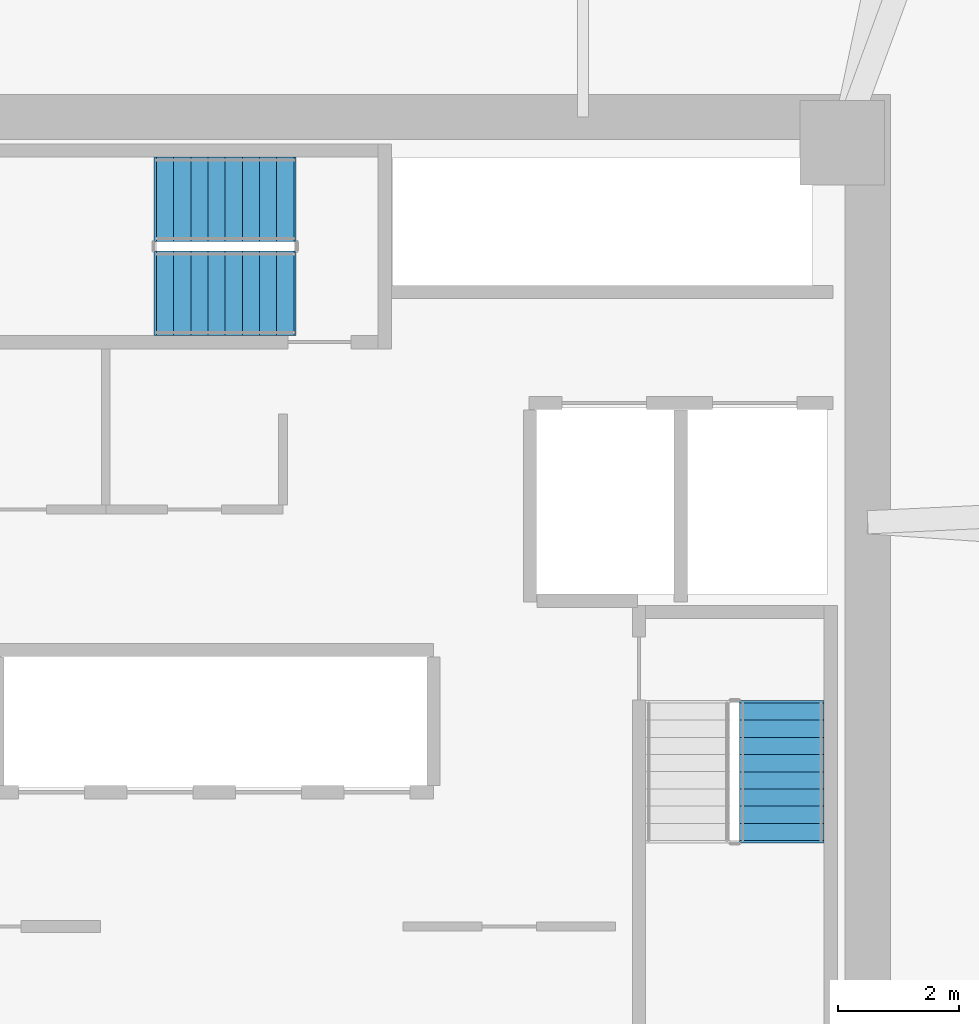
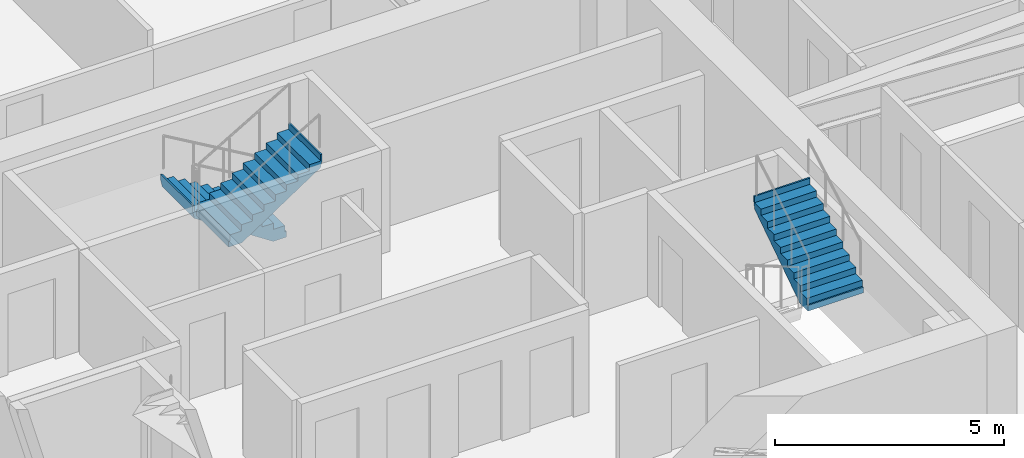
# One storey, part 16 of 17: 3 stair flights, 2 elements without a shape of their own.
"""IFC4 building model written with IfcOpenShell, lengths in metres."""

import ifcopenshell
import ifcopenshell.guid

model = None  # the IFC model being written
_history = None  # IfcOwnerHistory: only IFC2X3 demands one
_inside = {}  # id of a spatial element -> (the spatial element, [elements in it])
_under = {}  # id of a project, library or spatial element -> (it, [spatial elements below it])
_declared = {}  # id of a project -> (the project, [libraries it declares])
_typed = {}  # id of a type object -> (the type object, [elements of that type])
_made_of = {}  # id of a material, layer set ... -> (it, [elements and type objects made of it])


def new_model(schema):
    """Start an empty IFC model of exactly this schema.

    Asked for "IFC4X3", IfcOpenShell would pick the latest addendum, in which some entities
    have other attributes; the version numbers below select the first issue.
    IFC2X3 requires an IfcOwnerHistory on every rooted entity: one is made here for all.
    """
    global model, _history
    if schema == "IFC4X3":
        model = ifcopenshell.file(schema_version=(4, 3, 0, 0))
    else:
        model = ifcopenshell.file(schema=schema)
    _inside.clear()
    _under.clear()
    _declared.clear()
    _typed.clear()
    _made_of.clear()
    _history = None
    if model.schema == "IFC2X3":
        org = make("IfcOrganization", Name="unknown")
        user = make(
            "IfcPersonAndOrganization",
            ThePerson=make("IfcPerson", FamilyName="unknown"),
            TheOrganization=org,
        )
        app = make(
            "IfcApplication",
            ApplicationDeveloper=org,
            Version="unknown",
            ApplicationFullName="unknown",
            ApplicationIdentifier="unknown",
        )
        _history = make(
            "IfcOwnerHistory",
            OwningUser=user,
            OwningApplication=app,
            ChangeAction="ADDED",
            CreationDate=0,
        )
    return model


def make(cls, **values):
    """One entity of the class cls with the attributes given. An attribute that is None is left unset."""
    return model.create_entity(
        cls, **{name: value for name, value in values.items() if value is not None}
    )


def rooted(cls, **values):
    """An entity with a GlobalId (a new one), such as an element, a storey or a relation."""
    return make(cls, GlobalId=ifcopenshell.guid.new(), OwnerHistory=_history, **values)


def si_unit(unit_type, name, prefix=None):
    """IfcSIUnit, for example si_unit("LENGTHUNIT", "METRE", prefix="MILLI")."""
    return make("IfcSIUnit", UnitType=unit_type, Prefix=prefix, Name=name)


def assignment(units):
    """IfcUnitAssignment: the units of a project."""
    return None if units is None else make("IfcUnitAssignment", Units=units)


def point(xyz):
    """IfcCartesianPoint."""
    return None if xyz is None else make("IfcCartesianPoint", Coordinates=xyz)


def direction(xyz):
    """IfcDirection."""
    return None if xyz is None else make("IfcDirection", DirectionRatios=xyz)


def frame(location, z_axis=None, x_axis=None):
    """IfcAxis2Placement3D, a coordinate frame: its origin and axes. An axis left out is left unset."""
    return make(
        "IfcAxis2Placement3D",
        Location=point(location),
        Axis=direction(z_axis),
        RefDirection=direction(x_axis),
    )


def origin():
    """The frame at (0, 0, 0) with its axes left unset."""
    return frame((0.0, 0.0, 0.0))


def place(relative_to, where):
    """IfcLocalPlacement: puts the frame where relative to a parent placement (None: the world)."""
    return make(
        "IfcLocalPlacement", PlacementRelTo=relative_to, RelativePlacement=where
    )


def context(
    kind, dimensions, precision=None, world=None, true_north=None, identifier=None
):
    """IfcGeometricRepresentationContext, for example the 3D "Model" context."""
    return make(
        "IfcGeometricRepresentationContext",
        ContextIdentifier=identifier,
        ContextType=kind,
        CoordinateSpaceDimension=dimensions,
        Precision=precision,
        WorldCoordinateSystem=world,
        TrueNorth=true_north,
    )


def subcontext(parent, identifier, kind, view, scale=None):
    """IfcGeometricRepresentationSubContext, for example "Body" below "Model"."""
    return make(
        "IfcGeometricRepresentationSubContext",
        ContextIdentifier=identifier,
        ContextType=kind,
        ParentContext=parent,
        TargetScale=scale,
        TargetView=view,
    )


def project(units=None, contexts=None):
    """IfcProject with its units and contexts."""
    return rooted(
        "IfcProject",
        Name="project",
        RepresentationContexts=contexts,
        UnitsInContext=assignment(units),
    )


def spatial(cls, under=None, at=None, **own):
    """A site, building, storey or space (cls), placed at a placement, below another one or the project."""
    s = rooted(cls, ObjectPlacement=at, **own)
    if under is not None:
        _under.setdefault(under.id(), (under, []))[1].append(s)
    return s


def polyline(points):
    """IfcPolyline through the points."""
    return make("IfcPolyline", Points=[point(p) for p in points])


def outline(outer, holes=None, kind="AREA"):
    """IfcArbitraryClosedProfileDef: a profile drawn as a closed curve; with holes, ...WithVoids."""
    if holes is None:
        return make("IfcArbitraryClosedProfileDef", ProfileType=kind, OuterCurve=outer)
    return make(
        "IfcArbitraryProfileDefWithVoids",
        ProfileType=kind,
        OuterCurve=outer,
        InnerCurves=holes,
    )


def extrude(swept, where, along, depth):
    """IfcExtrudedAreaSolid: the profile swept, set in the frame where, extruded along a direction by depth."""
    return make(
        "IfcExtrudedAreaSolid",
        SweptArea=swept,
        Position=where,
        ExtrudedDirection=direction(along),
        Depth=depth,
    )


def shape(context_of_items, identifier, shape_type, items):
    """IfcShapeRepresentation: the items that make up one representation, for example the "Body"."""
    return make(
        "IfcShapeRepresentation",
        ContextOfItems=context_of_items,
        RepresentationIdentifier=identifier,
        RepresentationType=shape_type,
        Items=items,
    )


def material(Name=None, Category=None):
    """IfcMaterial."""
    return make("IfcMaterial", Name=Name, Category=Category)


def made_of(thing, what):
    """Note that an element or type object is made of a material, layer set ...; save() writes the relation."""
    if what is not None:
        _made_of.setdefault(what.id(), (what, []))[1].append(thing)
    return thing


def type_object(cls, material=None, **own):
    """A type object (cls), such as IfcWallType, which elements share."""
    return made_of(rooted(cls, **own), material)


def element(
    cls,
    number,
    at=None,
    inside=None,
    cuts=None,
    type_object=None,
    material=None,
    context=None,
    identifier="Body",
    shape_type=None,
    held_by="IfcProductDefinitionShape",
    body=None,
    shapes=None,
    **own,
):
    """One element of the class cls, such as IfcWall. Its Tag is "e" and its number.

    at: its placement. inside: the storey or other place that contains it. cuts: it is an
    opening in that element (IfcRelVoidsElement). A single representation is given by context,
    identifier, shape_type and body (its items); several are given by shapes. held_by: the class
    of the entity that holds the representations. save() writes the other relations.
    """
    e = rooted(cls, Tag="e%d" % number, ObjectPlacement=at, **own)
    if body is not None:
        shapes = [shape(context, identifier, shape_type, body)]
    if shapes is not None:
        e.Representation = make(held_by, Representations=shapes)
    if inside is not None:
        _inside.setdefault(inside.id(), (inside, []))[1].append(e)
    if cuts is not None:
        rooted(
            "IfcRelVoidsElement", RelatingBuildingElement=cuts, RelatedOpeningElement=e
        )
    if type_object is not None:
        _typed.setdefault(type_object.id(), (type_object, []))[1].append(e)
    return made_of(e, material)


def aggregate(whole, parts):
    """IfcRelAggregates: a whole, such as a stair, and the parts it consists of."""
    return rooted("IfcRelAggregates", RelatingObject=whole, RelatedObjects=parts)


def save(model, path):
    """Write the relations noted so far, then the file.

    IfcRelAggregates (storeys below a building ...), IfcRelContainedInSpatialStructure (elements
    in a storey), IfcRelDefinesByType, IfcRelAssociatesMaterial and IfcRelDeclares: one each for
    every whole, place, type object, material and project.
    """
    for whole, parts in _under.values():
        aggregate(whole, parts)
    for where, things in _inside.values():
        rooted(
            "IfcRelContainedInSpatialStructure",
            RelatedElements=things,
            RelatingStructure=where,
        )
    for kind, things in _typed.values():
        rooted("IfcRelDefinesByType", RelatedObjects=things, RelatingType=kind)
    for what, things in _made_of.values():
        rooted("IfcRelAssociatesMaterial", RelatedObjects=things, RelatingMaterial=what)
    for by, libraries in _declared.values():
        rooted("IfcRelDeclares", RelatingContext=by, RelatedDefinitions=libraries)
    model.write(path)


model = new_model("IFC4")

# Units and contexts
model_context = context("Model", 3, precision=1e-05, world=origin(), true_north=direction((0.0, 1.0)))
body_context = subcontext(model_context, "Body", "Model", "MODEL_VIEW")
ifc_project = project(units=[si_unit("LENGTHUNIT", "METRE"), si_unit("AREAUNIT", "SQUARE_METRE"), si_unit("VOLUMEUNIT", "CUBIC_METRE"), si_unit("PLANEANGLEUNIT", "RADIAN"), si_unit("MASSUNIT", "GRAM", prefix="KILO")], contexts=[model_context])

# Site, building, storey
site_placement = place(None, origin())
site = spatial("IfcSite", under=ifc_project, at=site_placement, CompositionType="ELEMENT")
building_placement = place(site_placement, origin())
building = spatial("IfcBuilding", under=site, at=building_placement, Name="Durnholm Broadcast Tower", CompositionType="ELEMENT")
storey_placement = place(building_placement, frame((0.0, 0.0, 143.10009765625)))
storey = spatial("IfcBuildingStorey", under=building, at=storey_placement, Name="L39", CompositionType="ELEMENT", Elevation=143.10009765625)

# Stair, stair flight
ifc_material = material(Name="Concrete C50/60", Category="concrete")
stair_type = type_object("IfcStairType", Name="STAIR-DL-18R1667", PredefinedType="HALF_TURN_STAIR", material=ifc_material)
stair_1_placement = place(storey_placement, origin())
stair_1 = element("IfcStair", 1, at=stair_1_placement, inside=storey, type_object=stair_type, Name="L39 ST-2", PredefinedType="HALF_TURN_STAIR")
stair_flight_type = type_object("IfcStairFlightType", Name="FLIGHT-DL-18R1667", PredefinedType="STRAIGHT", material=ifc_material)
stair_flight_1_placement = place(storey_placement, frame((8.800048828125, -3.780029296875, 1.5), z_axis=(0.0, 0.0, 1.0), x_axis=(0.0, 1.0, 0.0)))
stair_flight_1 = element("IfcStairFlight", 2, at=stair_flight_1_placement, type_object=stair_flight_type, Name="ST-2 flight 2", NumberOfRisers=9, NumberOfTreads=8, PredefinedType="STRAIGHT", RiserHeight=0.166666667, TreadLength=0.285, context=body_context, shape_type="SweptSolid", body=[
    extrude(outline(polyline([(-0.0400390625, -0.14990234375), (-0.0400390625, 0.0), (0.0, 0.0), (0.0, 0.166748046875), (0.284912109375, 0.166748046875), (0.284912109375, 0.333251953125), (0.570068359375, 0.333251953125), (0.570068359375, 0.5), (0.85498046875, 0.5), (0.85498046875, 0.666748046875), (1.139892578125, 0.666748046875), (1.139892578125, 0.833251953125), (1.425048828125, 0.833251953125), (1.425048828125, 1.0), (1.7099609375, 1.0), (1.7099609375, 1.166748046875), (1.9951171875, 1.166748046875), (1.9951171875, 1.333251953125), (2.280029296875, 1.333251953125), (2.280029296875, 1.5), (2.320068359375, 1.5), (2.320068359375, 1.35009765625), (2.280029296875, 1.15966796875), (0.296875, -0.14990234375), (-0.0400390625, -0.14990234375)])), frame((0.0, 0.699951171875, 0.0), z_axis=(0.0, -1.0, 0.0), x_axis=(1.0, 0.0, 0.0)), (0.0, 0.0, 1.0), 1.39990234375),
])
aggregate(stair_1, [stair_flight_1])

# Stair, stair flights
stair_2_placement = place(storey_placement, origin())
stair_2 = element("IfcStair", 3, at=stair_2_placement, inside=storey, type_object=stair_type, Name="L39 ST-3", PredefinedType="HALF_TURN_STAIR")
stair_flight_2_placement = place(storey_placement, frame((0.699951171875, 6.860107421875, 0.0), z_axis=(0.0, 0.0, 1.0), x_axis=(-1.0, 0.0, 0.0)))
stair_flight_2 = element("IfcStairFlight", 4, at=stair_flight_2_placement, type_object=stair_flight_type, Name="ST-3 flight 1", NumberOfRisers=9, NumberOfTreads=8, PredefinedType="STRAIGHT", RiserHeight=0.166666667, TreadLength=0.285, context=body_context, shape_type="SweptSolid", body=[
    extrude(outline(polyline([(-0.0400390625, -0.14990234375), (-0.0400390625, 0.0), (0.0, 0.0), (0.0, 0.166748046875), (0.284912109375, 0.166748046875), (0.284912109375, 0.333251953125), (0.570068359375, 0.333251953125), (0.570068359375, 0.5), (0.85498046875, 0.5), (0.85498046875, 0.666748046875), (1.139892578125, 0.666748046875), (1.139892578125, 0.833251953125), (1.425048828125, 0.833251953125), (1.425048828125, 1.0), (1.7099609375, 1.0), (1.7099609375, 1.166748046875), (1.9951171875, 1.166748046875), (1.9951171875, 1.333251953125), (2.280029296875, 1.333251953125), (2.280029296875, 1.5), (2.320068359375, 1.5), (2.320068359375, 1.35009765625), (2.280029296875, 1.15966796875), (0.296875, -0.14990234375), (-0.0400390625, -0.14990234375)])), frame((0.0, 0.699951171875, 0.0), z_axis=(0.0, -1.0, 0.0), x_axis=(1.0, 0.0, 0.0)), (0.0, 0.0, 1.0), 1.39990234375),
])
stair_flight_3_placement = place(storey_placement, frame((-1.580078125, 5.300048828125, 1.5), z_axis=(0.0, 0.0, 1.0), x_axis=(1.0, 0.0, 0.0)))
stair_flight_3 = element("IfcStairFlight", 5, at=stair_flight_3_placement, type_object=stair_flight_type, Name="ST-3 flight 2", NumberOfRisers=9, NumberOfTreads=8, PredefinedType="STRAIGHT", RiserHeight=0.166666667, TreadLength=0.285, context=body_context, shape_type="SweptSolid", body=[
    extrude(outline(polyline([(-0.0400390625, -0.14990234375), (-0.0400390625, 0.0), (0.0, 0.0), (0.0, 0.166748046875), (0.284912109375, 0.166748046875), (0.284912109375, 0.333251953125), (0.570068359375, 0.333251953125), (0.570068359375, 0.5), (0.85498046875, 0.5), (0.85498046875, 0.666748046875), (1.139892578125, 0.666748046875), (1.139892578125, 0.833251953125), (1.425048828125, 0.833251953125), (1.425048828125, 1.0), (1.7099609375, 1.0), (1.7099609375, 1.166748046875), (1.9951171875, 1.166748046875), (1.9951171875, 1.333251953125), (2.280029296875, 1.333251953125), (2.280029296875, 1.5), (2.320068359375, 1.5), (2.320068359375, 1.35009765625), (2.280029296875, 1.15966796875), (0.296875, -0.14990234375), (-0.0400390625, -0.14990234375)])), frame((0.0, 0.699951171875, 0.0), z_axis=(0.0, -1.0, 0.0), x_axis=(1.0, 0.0, 0.0)), (0.0, 0.0, 1.0), 1.39990234375),
])
aggregate(stair_2, [stair_flight_2, stair_flight_3])

save(model, "model.ifc")
